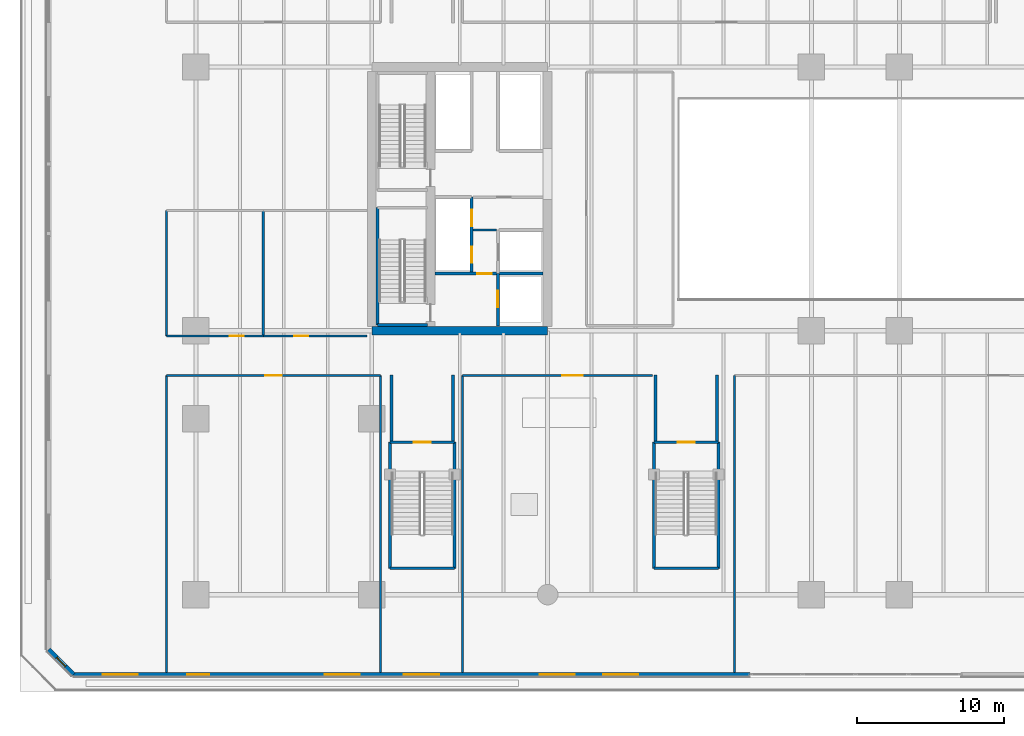
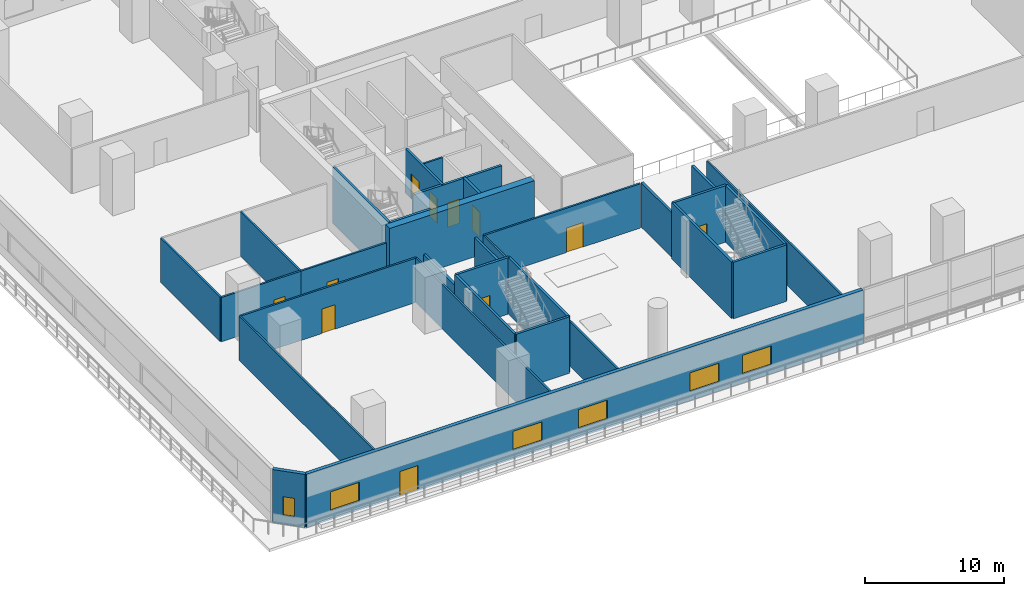
# One storey, part 6 of 24: 31 walls, 11 doors, 6 windows, 17 openings.
"""IFC4 building model written with IfcOpenShell, lengths in metres."""

from ifc_helpers import new_model, si_unit, direction, frame, frame_2d, origin, place, context, subcontext, project, spatial, rectangle, extrude, material, layer, layer_set, type_object, element, fill, save


model = new_model("IFC4")

# Units and contexts
model_context = context("Model", 3, precision=1e-05, world=origin(), true_north=direction((0.0, 1.0)))
body_context = subcontext(model_context, "Body", "Model", "MODEL_VIEW")
ifc_project = project(units=[si_unit("LENGTHUNIT", "METRE"), si_unit("AREAUNIT", "SQUARE_METRE"), si_unit("VOLUMEUNIT", "CUBIC_METRE"), si_unit("PLANEANGLEUNIT", "RADIAN"), si_unit("MASSUNIT", "GRAM", prefix="KILO")], contexts=[model_context])

# Site, building, storey
site_placement = place(None, origin())
site = spatial("IfcSite", under=ifc_project, at=site_placement, CompositionType="ELEMENT")
building_placement = place(site_placement, origin())
building = spatial("IfcBuilding", under=site, at=building_placement, Name="Tanjung Sevakor Pilgrim Tower", CompositionType="ELEMENT")
storey_placement = place(building_placement, frame((0.0, 0.0, 4.949951171875)))
storey = spatial("IfcBuildingStorey", under=building, at=storey_placement, Name="L02", CompositionType="ELEMENT", Elevation=4.949951171875)

# Walls
ifc_material_1 = material(Name="Concrete C60/75", Category="concrete")
ifc_layer_1 = layer(ifc_material_1, 0.60009765625)
ifc_layer_set_1 = layer_set([ifc_layer_1], Name="WALL-CW-600")
wall_type_1 = type_object("IfcWallType", Name="WALL-CW-600", PredefinedType="SHEAR", material=ifc_layer_set_1)
wall_1_placement = place(storey_placement, frame((24.0, 24.60009765625, 0.0), z_axis=(0.0, 0.0, 1.0), x_axis=(1.0, 0.0, 0.0)))
element("IfcWall", 1, at=wall_1_placement, inside=storey, type_object=wall_type_1, Name="L02 W Core South Shear Wall", PredefinedType="SHEAR", context=body_context, shape_type="SweptSolid", body=[
    extrude(rectangle(XDim=12.0, YDim=0.60009765625, at=frame_2d((6.0, 0.0))), origin(), (0.0, 0.0, 1.0), 4.949951171875),
])
ifc_material_2 = material(Name="Concrete C40/50", Category="concrete")
ifc_layer_2 = layer(ifc_material_2, 0.14990234375)
ifc_layer_set_2 = layer_set([ifc_layer_2], Name="WT-COMP-150")
wall_type_2 = type_object("IfcWallType", Name="WT-COMP-150", PredefinedType="SOLIDWALL", material=ifc_layer_set_2)
wall_2_placement = place(storey_placement, frame((30.89990234375, 31.47998046875, 0.0), z_axis=(0.0, 0.0, 1.0), x_axis=(1.0, 0.0, 0.0)))
element("IfcWall", 2, at=wall_2_placement, inside=storey, type_object=wall_type_2, Name="L02 Partition IW-L02-007", PredefinedType="SOLIDWALL", context=body_context, shape_type="SweptSolid", body=[
    extrude(rectangle(XDim=1.60009765625, YDim=0.14990234375, at=frame_2d((0.800048828125, 0.0))), origin(), (0.0, 0.0, 1.0), 3.889892578125),
])

# Wall, opening, door
wall_3_placement = place(storey_placement, frame((30.199951171875, 21.550048828125, 0.0), z_axis=(0.0, 0.0, 1.0), x_axis=(1.0, 0.0, 0.0)))
wall_3 = element("IfcWall", 3, at=wall_3_placement, inside=storey, type_object=wall_type_2, Name="L02 Partition IW-L02-037", PredefinedType="SOLIDWALL", context=body_context, shape_type="SweptSolid", body=[
    extrude(rectangle(XDim=12.949951171875, YDim=0.14990234375, at=frame_2d((6.47509765625, 0.0))), origin(), (0.0, 0.0, 1.0), 3.889892578125),
])
opening_1_placement = place(wall_3_placement, frame((6.800048828125, 0.0, 0.0)))
opening_1 = element("IfcOpeningElement", 4, at=opening_1_placement, cuts=wall_3, Name="Opening ID-HD1", PredefinedType="OPENING", context=body_context, shape_type="SweptSolid", body=[
    extrude(rectangle(XDim=1.39990234375, YDim=2.14990234375, at=frame_2d((0.699951171875, 1.074951171875))), frame((0.0, 0.0849609375, 0.0), z_axis=(0.0, -1.0, 0.0), x_axis=(1.0, 0.0, 0.0)), (0.0, 0.0, 1.0), 0.169921875),
])
ifc_material_3 = material(Name="Hardwood Timber", Category="wood")
door_type_1 = type_object("IfcDoorType", Name="DT-INT-1400", OperationType="DOUBLE_DOOR_SINGLE_SWING", PredefinedType="DOOR", material=ifc_material_3)
door_1_placement = place(opening_1_placement, origin())
door_1 = element("IfcDoor", 5, at=door_1_placement, inside=storey, type_object=door_type_1, Name="L02 Prayer Hall West Door", OperationType="SINGLE_SWING_LEFT", OverallHeight=2.14990234375, OverallWidth=1.39990234375, PredefinedType="DOOR", context=body_context, shape_type="SweptSolid", body=[
    extrude(rectangle(XDim=1.39990234375, YDim=2.14990234375, at=frame_2d((0.699951171875, 1.074951171875))), frame((0.0, 0.02490234375, 0.0), z_axis=(0.0, -1.0, 0.0), x_axis=(1.0, 0.0, 0.0)), (0.0, 0.0, 1.0), 0.050048828125),
])
fill(opening_1, door_1)

# Walls
for number, where, z_axis, x_axis, name in (
    (6, (30.199951171875, 1.300048828125, 0.0), (0.0, 0.0, 1.0), (0.0, 1.0, 0.0), "L02 Partition IW-L02-038"),
    (7, (48.75, 1.300048828125, 0.0), (0.0, 0.0, 1.0), (0.0, 1.0, 0.0), "L02 Partition IW-L02-040"),
):
    element("IfcWall", number, at=place(storey_placement, frame(where, z_axis=z_axis, x_axis=x_axis)), inside=storey, type_object=wall_type_2, Name=name, PredefinedType="SOLIDWALL", context=body_context, shape_type="SweptSolid", body=[
        extrude(rectangle(XDim=20.25, YDim=0.14990234375, at=frame_2d((10.125, 0.0))), origin(), (0.0, 0.0, 1.0), 3.889892578125),
    ])

# Wall, opening, door
wall_4_placement = place(storey_placement, frame((10.0, 24.25, 0.0), z_axis=(0.0, 0.0, 1.0), x_axis=(1.0, 0.0, 0.0)))
wall_4 = element("IfcWall", 8, at=wall_4_placement, inside=storey, type_object=wall_type_2, Name="L02 Partition IW-L02-045", PredefinedType="SOLIDWALL", context=body_context, shape_type="SweptSolid", body=[
    extrude(rectangle(XDim=6.60009765625, YDim=0.14990234375, at=frame_2d((3.300048828125, 0.0))), origin(), (0.0, 0.0, 1.0), 3.889892578125),
])
opening_2_placement = place(wall_4_placement, frame((4.324951171875, 0.0, 0.0)))
opening_2 = element("IfcOpeningElement", 9, at=opening_2_placement, cuts=wall_4, Name="Opening ID-RM1", PredefinedType="OPENING", context=body_context, shape_type="SweptSolid", body=[
    extrude(rectangle(XDim=0.949951171875, YDim=2.14990234375, at=frame_2d((0.47509765625, 1.074951171875))), frame((0.0, 0.0849609375, 0.0), z_axis=(0.0, -1.0, 0.0), x_axis=(1.0, 0.0, 0.0)), (0.0, 0.0, 1.0), 0.169921875),
])
ifc_material_4 = material(Name="Hardwood Timber", Category="wood")
door_type_2 = type_object("IfcDoorType", Name="DT-INT-950", OperationType="NOTDEFINED", PredefinedType="DOOR", material=ifc_material_4)
door_2_placement = place(opening_2_placement, origin())
door_2 = element("IfcDoor", 10, at=door_2_placement, inside=storey, type_object=door_type_2, Name="L02 Male Ablution Door", OperationType="SINGLE_SWING_RIGHT", OverallHeight=2.14990234375, OverallWidth=0.949951171875, PredefinedType="DOOR", context=body_context, shape_type="SweptSolid", body=[
    extrude(rectangle(XDim=0.949951171875, YDim=2.14990234375, at=frame_2d((0.47509765625, 1.074951171875))), frame((0.0, 0.02490234375, 0.0), z_axis=(0.0, -1.0, 0.0), x_axis=(1.0, 0.0, 0.0)), (0.0, 0.0, 1.0), 0.050048828125),
])
fill(opening_2, door_2)

# Walls
for number, where, z_axis, x_axis, name in (
    (11, (10.0, 24.25, 0.0), (0.0, 0.0, 1.0), (0.0, 1.0, 0.0), "L02 Partition IW-L02-047"),
    (12, (16.60009765625, 24.25, 0.0), (0.0, 0.0, 1.0), (0.0, 1.0, 0.0), "L02 Partition IW-L02-048"),
):
    element("IfcWall", number, at=place(storey_placement, frame(where, z_axis=z_axis, x_axis=x_axis)), inside=storey, type_object=wall_type_2, Name=name, PredefinedType="SOLIDWALL", context=body_context, shape_type="SweptSolid", body=[
        extrude(rectangle(XDim=8.550048828125, YDim=0.14990234375, at=frame_2d((4.27490234375, 0.0))), origin(), (0.0, 0.0, 1.0), 3.889892578125),
    ])

# Wall, opening, door
wall_5_placement = place(storey_placement, frame((16.60009765625, 24.25, 0.0), z_axis=(0.0, 0.0, 1.0), x_axis=(1.0, 0.0, 0.0)))
wall_5 = element("IfcWall", 13, at=wall_5_placement, inside=storey, type_object=wall_type_2, Name="L02 Partition IW-L02-049", PredefinedType="SOLIDWALL", context=body_context, shape_type="SweptSolid", body=[
    extrude(rectangle(XDim=7.079833984375, YDim=0.14990234375, at=frame_2d((3.5400390625, 0.0))), origin(), (0.0, 0.0, 1.0), 3.889892578125),
])
opening_3_placement = place(wall_5_placement, frame((2.125, 0.0, 0.0)))
opening_3 = element("IfcOpeningElement", 14, at=opening_3_placement, cuts=wall_5, Name="Opening ID-RM1", PredefinedType="OPENING", context=body_context, shape_type="SweptSolid", body=[
    extrude(rectangle(XDim=0.949951171875, YDim=2.14990234375, at=frame_2d((0.47509765625, 1.074951171875))), frame((0.0, 0.0849609375, 0.0), z_axis=(0.0, -1.0, 0.0), x_axis=(1.0, 0.0, 0.0)), (0.0, 0.0, 1.0), 0.169921875),
])
door_3_placement = place(opening_3_placement, origin())
door_3 = element("IfcDoor", 15, at=door_3_placement, inside=storey, type_object=door_type_2, Name="L02 Male Washroom Door", OperationType="SINGLE_SWING_LEFT", OverallHeight=2.14990234375, OverallWidth=0.949951171875, PredefinedType="DOOR", context=body_context, shape_type="SweptSolid", body=[
    extrude(rectangle(XDim=0.949951171875, YDim=2.14990234375, at=frame_2d((0.47509765625, 1.074951171875))), frame((0.0, 0.02490234375, 0.0), z_axis=(0.0, -1.0, 0.0), x_axis=(1.0, 0.0, 0.0)), (0.0, 0.0, 1.0), 0.050048828125),
])
fill(opening_3, door_3)

wall_6_placement = place(storey_placement, frame((10.0, 21.550048828125, 0.0), z_axis=(0.0, 0.0, 1.0), x_axis=(1.0, 0.0, 0.0)))
wall_6 = element("IfcWall", 16, at=wall_6_placement, inside=storey, type_object=wall_type_2, Name="L02 Partition IW-L02-069", PredefinedType="SOLIDWALL", context=body_context, shape_type="SweptSolid", body=[
    extrude(rectangle(XDim=14.60009765625, YDim=0.14990234375, at=frame_2d((7.300048828125, 0.0))), origin(), (0.0, 0.0, 1.0), 3.889892578125),
])
opening_4_placement = place(wall_6_placement, frame((6.75, 0.0, 0.0)))
opening_4 = element("IfcOpeningElement", 17, at=opening_4_placement, cuts=wall_6, Name="Opening ID-RM2", PredefinedType="OPENING", context=body_context, shape_type="SweptSolid", body=[
    extrude(rectangle(XDim=1.10009765625, YDim=2.14990234375, at=frame_2d((0.550048828125, 1.074951171875))), frame((0.0, 0.0849609375, 0.0), z_axis=(0.0, -1.0, 0.0), x_axis=(1.0, 0.0, 0.0)), (0.0, 0.0, 1.0), 0.169921875),
])
ifc_material_5 = material(Name="Hardwood Timber", Category="wood")
door_type_3 = type_object("IfcDoorType", Name="DT-INT-1100", OperationType="NOTDEFINED", PredefinedType="DOOR", material=ifc_material_5)
door_4_placement = place(opening_4_placement, origin())
door_4 = element("IfcDoor", 18, at=door_4_placement, inside=storey, type_object=door_type_3, Name="L02 West Reading Door", OperationType="SINGLE_SWING_RIGHT", OverallHeight=2.14990234375, OverallWidth=1.10009765625, PredefinedType="DOOR", context=body_context, shape_type="SweptSolid", body=[
    extrude(rectangle(XDim=1.10009765625, YDim=2.14990234375, at=frame_2d((0.550048828125, 1.074951171875))), frame((0.0, 0.02490234375, 0.0), z_axis=(0.0, -1.0, 0.0), x_axis=(1.0, 0.0, 0.0)), (0.0, 0.0, 1.0), 0.050048828125),
])
fill(opening_4, door_4)

# Walls
for number, where, z_axis, x_axis, name in (
    (19, (10.0, 1.300048828125, 0.0), (0.0, 0.0, 1.0), (0.0, 1.0, 0.0), "L02 Partition IW-L02-070"),
    (20, (24.60009765625, 1.300048828125, 0.0), (0.0, 0.0, 1.0), (0.0, 1.0, 0.0), "L02 Partition IW-L02-071"),
):
    element("IfcWall", number, at=place(storey_placement, frame(where, z_axis=z_axis, x_axis=x_axis)), inside=storey, type_object=wall_type_2, Name=name, PredefinedType="SOLIDWALL", context=body_context, shape_type="SweptSolid", body=[
        extrude(rectangle(XDim=20.25, YDim=0.14990234375, at=frame_2d((10.125, 0.0))), origin(), (0.0, 0.0, 1.0), 3.889892578125),
    ])

# Wall, openings, door, windows
ifc_material_6 = material(Name="Precast concrete C45/55", Category="concrete")
ifc_layer_3 = layer(ifc_material_6, 0.300048828125)
ifc_layer_set_3 = layer_set([ifc_layer_3], Name="WT-EW-STN1")
wall_type_3 = type_object("IfcWallType", Name="WT-EW-STN1", PredefinedType="SOLIDWALL", material=ifc_layer_set_3)
wall_7_placement = place(storey_placement, frame((3.662109375, 1.14990234375, 0.0), z_axis=(0.0, 0.0, 1.0), x_axis=(1.0, 0.0, 0.0)))
wall_7 = element("IfcWall", 21, at=wall_7_placement, inside=storey, type_object=wall_type_3, Name="L02 Cascading Podium Limestone Wall S1", PredefinedType="SOLIDWALL", context=body_context, shape_type="SweptSolid", body=[
    extrude(rectangle(XDim=46.137939453125, YDim=0.300048828125, at=frame_2d((23.06884765625, 0.0))), origin(), (0.0, 0.0, 1.0), 4.669921875),
])
opening_5_placement = place(wall_7_placement, frame((7.75, 0.0, 0.0)))
opening_5 = element("IfcOpeningElement", 22, at=opening_5_placement, cuts=wall_7, Name="Opening ED-TER-1500", PredefinedType="OPENING", context=body_context, shape_type="SweptSolid", body=[
    extrude(rectangle(XDim=1.5, YDim=2.199951171875, at=frame_2d((0.75, 1.10009765625))), frame((0.0, 0.159912109375, 0.0), z_axis=(0.0, -1.0, 0.0), x_axis=(1.0, 0.0, 0.0)), (0.0, 0.0, 1.0), 0.320068359375),
])
opening_6_placement = place(wall_7_placement, frame((31.787841796875, 0.0, 0.780029296875)))
opening_6 = element("IfcOpeningElement", 23, at=opening_6_placement, cuts=wall_7, Name="Opening WN-P1-1660", PredefinedType="OPENING", context=body_context, shape_type="SweptSolid", body=[
    extrude(rectangle(XDim=2.39990234375, YDim=1.659912109375, at=frame_2d((1.199951171875, 0.830078125))), frame((0.0, 0.159912109375, 0.0), z_axis=(0.0, -1.0, 0.0), x_axis=(1.0, 0.0, 0.0)), (0.0, 0.0, 1.0), 0.320068359375),
])
opening_7_placement = place(wall_7_placement, frame((1.968994140625, 0.0, 0.780029296875)))
opening_7 = element("IfcOpeningElement", 24, at=opening_7_placement, cuts=wall_7, Name="Opening WN-P1-1660", PredefinedType="OPENING", context=body_context, shape_type="SweptSolid", body=[
    extrude(rectangle(XDim=2.39990234375, YDim=1.659912109375, at=frame_2d((1.199951171875, 0.830078125))), frame((0.0, 0.159912109375, 0.0), z_axis=(0.0, -1.0, 0.0), x_axis=(1.0, 0.0, 0.0)), (0.0, 0.0, 1.0), 0.320068359375),
])
opening_8_placement = place(wall_7_placement, frame((22.537841796875, 0.0, 0.780029296875)))
opening_8 = element("IfcOpeningElement", 25, at=opening_8_placement, cuts=wall_7, Name="Opening WN-P1-1660", PredefinedType="OPENING", context=body_context, shape_type="SweptSolid", body=[
    extrude(rectangle(XDim=2.39990234375, YDim=1.659912109375, at=frame_2d((1.199951171875, 0.830078125))), frame((0.0, 0.159912109375, 0.0), z_axis=(0.0, -1.0, 0.0), x_axis=(1.0, 0.0, 0.0)), (0.0, 0.0, 1.0), 0.320068359375),
])
opening_9_placement = place(wall_7_placement, frame((17.118896484375, 0.0, 0.780029296875)))
opening_9 = element("IfcOpeningElement", 26, at=opening_9_placement, cuts=wall_7, Name="Opening WN-P1-1660", PredefinedType="OPENING", context=body_context, shape_type="SweptSolid", body=[
    extrude(rectangle(XDim=2.39990234375, YDim=1.659912109375, at=frame_2d((1.199951171875, 0.830078125))), frame((0.0, 0.159912109375, 0.0), z_axis=(0.0, -1.0, 0.0), x_axis=(1.0, 0.0, 0.0)), (0.0, 0.0, 1.0), 0.320068359375),
])
opening_10_placement = place(wall_7_placement, frame((36.118896484375, 0.0, 0.780029296875)))
opening_10 = element("IfcOpeningElement", 27, at=opening_10_placement, cuts=wall_7, Name="Opening WN-P1-1660", PredefinedType="OPENING", context=body_context, shape_type="SweptSolid", body=[
    extrude(rectangle(XDim=2.39990234375, YDim=1.659912109375, at=frame_2d((1.199951171875, 0.830078125))), frame((0.0, 0.159912109375, 0.0), z_axis=(0.0, -1.0, 0.0), x_axis=(1.0, 0.0, 0.0)), (0.0, 0.0, 1.0), 0.320068359375),
])
ifc_material_7 = material(Name="Anodised Aluminium and Laminated Glass", Category="aluminium")
door_type_4 = type_object("IfcDoorType", Name="DTYP-ED-TER-1500", OperationType="DOUBLE_DOOR_SINGLE_SWING", PredefinedType="DOOR", material=ifc_material_7)
door_5_placement = place(opening_5_placement, frame((1.5, 0.0, 0.0), z_axis=(0.0, 0.0, 1.0), x_axis=(-1.0, 0.0, 0.0)))
door_5 = element("IfcDoor", 28, at=door_5_placement, inside=storey, type_object=door_type_4, Name="L02 Cascading Garden Terrace Door S", OperationType="SINGLE_SWING_RIGHT", OverallHeight=2.199951171875, OverallWidth=1.5, PredefinedType="DOOR", context=body_context, shape_type="SweptSolid", body=[
    extrude(rectangle(XDim=1.5, YDim=2.199951171875, at=frame_2d((0.75, 1.10009765625))), frame((0.0, 0.02490234375, 0.0), z_axis=(0.0, -1.0, 0.0), x_axis=(1.0, 0.0, 0.0)), (0.0, 0.0, 1.0), 0.050048828125),
])
fill(opening_5, door_5)
ifc_material_8 = material(Name="Thermally Broken Aluminium and Low-E Glass", Category="aluminium")
window_type_1 = type_object("IfcWindowType", Name="WTYP-WN-P1-1660", PartitioningType="DOUBLE_PANEL_VERTICAL", PredefinedType="WINDOW", material=ifc_material_8)
window_1_placement = place(opening_6_placement, origin())
window_1 = element("IfcWindow", 29, at=window_1_placement, inside=storey, type_object=window_type_1, Name="L02 Facade Window 01", OverallHeight=1.659912109375, OverallWidth=2.39990234375, PartitioningType="SINGLE_PANEL", PredefinedType="WINDOW", context=body_context, shape_type="SweptSolid", body=[
    extrude(rectangle(XDim=2.39990234375, YDim=1.659912109375, at=frame_2d((1.199951171875, 0.830078125))), frame((0.0, 0.030029296875, 0.0), z_axis=(0.0, -1.0, 0.0), x_axis=(1.0, 0.0, 0.0)), (0.0, 0.0, 1.0), 0.06005859375),
])
fill(opening_6, window_1)
window_2_placement = place(opening_7_placement, origin())
window_2 = element("IfcWindow", 30, at=window_2_placement, inside=storey, type_object=window_type_1, Name="L02 Facade Window 02", OverallHeight=1.659912109375, OverallWidth=2.39990234375, PartitioningType="SINGLE_PANEL", PredefinedType="WINDOW", context=body_context, shape_type="SweptSolid", body=[
    extrude(rectangle(XDim=2.39990234375, YDim=1.659912109375, at=frame_2d((1.199951171875, 0.830078125))), frame((0.0, 0.030029296875, 0.0), z_axis=(0.0, -1.0, 0.0), x_axis=(1.0, 0.0, 0.0)), (0.0, 0.0, 1.0), 0.06005859375),
])
fill(opening_7, window_2)
window_3_placement = place(opening_8_placement, origin())
window_3 = element("IfcWindow", 31, at=window_3_placement, inside=storey, type_object=window_type_1, Name="L02 Facade Window 03", OverallHeight=1.659912109375, OverallWidth=2.39990234375, PartitioningType="SINGLE_PANEL", PredefinedType="WINDOW", context=body_context, shape_type="SweptSolid", body=[
    extrude(rectangle(XDim=2.39990234375, YDim=1.659912109375, at=frame_2d((1.199951171875, 0.830078125))), frame((0.0, 0.030029296875, 0.0), z_axis=(0.0, -1.0, 0.0), x_axis=(1.0, 0.0, 0.0)), (0.0, 0.0, 1.0), 0.06005859375),
])
fill(opening_8, window_3)
window_4_placement = place(opening_9_placement, origin())
window_4 = element("IfcWindow", 32, at=window_4_placement, inside=storey, type_object=window_type_1, Name="L02 Facade Window 04", OverallHeight=1.659912109375, OverallWidth=2.39990234375, PartitioningType="SINGLE_PANEL", PredefinedType="WINDOW", context=body_context, shape_type="SweptSolid", body=[
    extrude(rectangle(XDim=2.39990234375, YDim=1.659912109375, at=frame_2d((1.199951171875, 0.830078125))), frame((0.0, 0.030029296875, 0.0), z_axis=(0.0, -1.0, 0.0), x_axis=(1.0, 0.0, 0.0)), (0.0, 0.0, 1.0), 0.06005859375),
])
fill(opening_9, window_4)
window_5_placement = place(opening_10_placement, origin())
window_5 = element("IfcWindow", 33, at=window_5_placement, inside=storey, type_object=window_type_1, Name="L02 Facade Window 05", OverallHeight=1.659912109375, OverallWidth=2.39990234375, PartitioningType="SINGLE_PANEL", PredefinedType="WINDOW", context=body_context, shape_type="SweptSolid", body=[
    extrude(rectangle(XDim=2.39990234375, YDim=1.659912109375, at=frame_2d((1.199951171875, 0.830078125))), frame((0.0, 0.030029296875, 0.0), z_axis=(0.0, -1.0, 0.0), x_axis=(1.0, 0.0, 0.0)), (0.0, 0.0, 1.0), 0.06005859375),
])
fill(opening_10, window_5)

# Wall, opening, window
wall_8_placement = place(storey_placement, frame((1.949951171875, 2.862060546875, 0.0), z_axis=(0.0, 0.0, 1.0), x_axis=(0.707106781187, -0.707106781187, 0.0)))
wall_8 = element("IfcWall", 34, at=wall_8_placement, inside=storey, type_object=wall_type_3, Name="L02 MAIN Exterior Wall 8", PredefinedType="SOLIDWALL", context=body_context, shape_type="SweptSolid", body=[
    extrude(rectangle(XDim=2.42138671875, YDim=0.300048828125, at=frame_2d((1.210693359375, 0.0))), origin(), (0.0, 0.0, 1.0), 4.669921875),
])
opening_11_placement = place(wall_8_placement, frame((0.78564453125, 0.0, 0.780029296875)))
opening_11 = element("IfcOpeningElement", 35, at=opening_11_placement, cuts=wall_8, Name="Opening WN-SLM", PredefinedType="OPENING", context=body_context, shape_type="SweptSolid", body=[
    extrude(rectangle(XDim=0.85009765625, YDim=1.64990234375, at=frame_2d((0.425048828125, 0.824951171875))), frame((0.0, 0.159912109375, 0.0), z_axis=(0.0, -1.0, 0.0), x_axis=(1.0, 0.0, 0.0)), (0.0, 0.0, 1.0), 0.320068359375),
])
ifc_material_9 = material(Name="Thermally Broken Aluminium and Low-E Glass", Category="aluminium")
window_type_2 = type_object("IfcWindowType", Name="WTYP-WN-SLM", PartitioningType="SINGLE_PANEL", PredefinedType="WINDOW", material=ifc_material_9)
window_6_placement = place(opening_11_placement, origin())
window_6 = element("IfcWindow", 36, at=window_6_placement, inside=storey, type_object=window_type_2, Name="L02 Facade Window 01", OverallHeight=1.64990234375, OverallWidth=0.85009765625, PartitioningType="SINGLE_PANEL", PredefinedType="WINDOW", context=body_context, shape_type="SweptSolid", body=[
    extrude(rectangle(XDim=0.85009765625, YDim=1.64990234375, at=frame_2d((0.425048828125, 0.824951171875))), frame((0.0, 0.030029296875, 0.0), z_axis=(0.0, -1.0, 0.0), x_axis=(1.0, 0.0, 0.0)), (0.0, 0.0, 1.0), 0.06005859375),
])
fill(opening_11, window_6)

# Walls
ifc_material_10 = material(Name="Concrete C40/50", Category="concrete")
ifc_layer_4 = layer(ifc_material_10, 0.199951171875)
ifc_layer_set_4 = layer_set([ifc_layer_4], Name="WT-FIRE-200")
wall_type_4 = type_object("IfcWallType", Name="WT-FIRE-200", PredefinedType="SOLIDWALL", material=ifc_layer_set_4)
wall_9_placement = place(storey_placement, frame((24.39990234375, 25.0, 0.0), z_axis=(0.0, 0.0, 1.0), x_axis=(1.0, 0.0, 0.0)))
element("IfcWall", 37, at=wall_9_placement, inside=storey, type_object=wall_type_4, Name="L02 TS-W1 Shaft Wall 1", PredefinedType="SOLIDWALL", context=body_context, shape_type="SweptSolid", body=[
    extrude(rectangle(XDim=3.400146484375, YDim=0.199951171875, at=frame_2d((1.7001953125, 0.0))), origin(), (0.0, 0.0, 1.0), 4.949951171875),
])
wall_10_placement = place(storey_placement, frame((24.39990234375, 33.0, 0.0), z_axis=(0.0, 0.0, 1.0), x_axis=(0.0, -1.0, 0.0)))
element("IfcWall", 38, at=wall_10_placement, inside=storey, type_object=wall_type_4, Name="L02 TS-W1 Shaft Wall 3", PredefinedType="SOLIDWALL", context=body_context, shape_type="SweptSolid", body=[
    extrude(rectangle(XDim=8.0, YDim=0.199951171875, at=frame_2d((4.0, 0.0))), origin(), (0.0, 0.0, 1.0), 4.949951171875),
])
wall_11_placement = place(storey_placement, frame((25.25, 8.39990234375, 0.0), z_axis=(0.0, 0.0, 1.0), x_axis=(1.0, 0.0, 0.0)))
element("IfcWall", 39, at=wall_11_placement, inside=storey, type_object=wall_type_4, Name="L02 PS-1 Shaft Wall 1", PredefinedType="SOLIDWALL", context=body_context, shape_type="SweptSolid", body=[
    extrude(rectangle(XDim=4.39990234375, YDim=0.199951171875, at=frame_2d((2.199951171875, 0.0))), origin(), (0.0, 0.0, 1.0), 4.949951171875),
])
wall_12_placement = place(storey_placement, frame((29.64990234375, 8.39990234375, 0.0), z_axis=(0.0, 0.0, 1.0), x_axis=(0.0, 1.0, 0.0)))
element("IfcWall", 40, at=wall_12_placement, inside=storey, type_object=wall_type_4, Name="L02 PS-1 Shaft Wall 2", PredefinedType="SOLIDWALL", context=body_context, shape_type="SweptSolid", body=[
    extrude(rectangle(XDim=8.60009765625, YDim=0.199951171875, at=frame_2d((4.300048828125, 0.0))), origin(), (0.0, 0.0, 1.0), 4.949951171875),
])

# Wall, opening, door
wall_13_placement = place(storey_placement, frame((29.64990234375, 17.0, 0.0), z_axis=(0.0, 0.0, 1.0), x_axis=(-1.0, 0.0, 0.0)))
wall_13 = element("IfcWall", 41, at=wall_13_placement, inside=storey, type_object=wall_type_4, Name="L02 PS-1 Shaft Wall 3", PredefinedType="SOLIDWALL", context=body_context, shape_type="SweptSolid", body=[
    extrude(rectangle(XDim=4.39990234375, YDim=0.199951171875, at=frame_2d((2.199951171875, 0.0))), origin(), (0.0, 0.0, 1.0), 4.949951171875),
])
opening_12_placement = place(wall_13_placement, frame((1.625, 0.0, 0.0)))
opening_12 = element("IfcOpeningElement", 42, at=opening_12_placement, cuts=wall_13, Name="Opening ID-ST1", PredefinedType="OPENING", context=body_context, shape_type="SweptSolid", body=[
    extrude(rectangle(XDim=1.14990234375, YDim=2.14990234375, at=frame_2d((0.574951171875, 1.074951171875))), frame((0.0, 0.10986328125, 0.0), z_axis=(0.0, -1.0, 0.0), x_axis=(1.0, 0.0, 0.0)), (0.0, 0.0, 1.0), 0.219970703125),
])
ifc_material_11 = material(Name="Fire-Rated Steel S355J2", Category="steel")
door_type_5 = type_object("IfcDoorType", Name="DT-FIRE-1150", OperationType="NOTDEFINED", PredefinedType="DOOR", material=ifc_material_11)
door_6_placement = place(opening_12_placement, origin())
door_6 = element("IfcDoor", 43, at=door_6_placement, inside=storey, type_object=door_type_5, Name="L02 PS-1 Stair Entry Fire Door", OperationType="SINGLE_SWING_RIGHT", OverallHeight=2.14990234375, OverallWidth=1.14990234375, PredefinedType="DOOR", context=body_context, shape_type="SweptSolid", body=[
    extrude(rectangle(XDim=1.14990234375, YDim=2.14990234375, at=frame_2d((0.574951171875, 1.074951171875))), frame((0.0, 0.02490234375, 0.0), z_axis=(0.0, -1.0, 0.0), x_axis=(1.0, 0.0, 0.0)), (0.0, 0.0, 1.0), 0.050048828125),
])
fill(opening_12, door_6)

# Walls
wall_14_placement = place(storey_placement, frame((25.25, 17.0, 0.0), z_axis=(0.0, 0.0, 1.0), x_axis=(0.0, -1.0, 0.0)))
element("IfcWall", 44, at=wall_14_placement, inside=storey, type_object=wall_type_4, Name="L02 PS-1 Shaft Wall 4", PredefinedType="SOLIDWALL", context=body_context, shape_type="SweptSolid", body=[
    extrude(rectangle(XDim=8.60009765625, YDim=0.199951171875, at=frame_2d((4.300048828125, 0.0))), origin(), (0.0, 0.0, 1.0), 4.949951171875),
])
wall_15_placement = place(storey_placement, frame((43.25, 8.39990234375, 0.0), z_axis=(0.0, 0.0, 1.0), x_axis=(1.0, 0.0, 0.0)))
element("IfcWall", 45, at=wall_15_placement, inside=storey, type_object=wall_type_4, Name="L02 PS-3 Shaft Wall 1", PredefinedType="SOLIDWALL", context=body_context, shape_type="SweptSolid", body=[
    extrude(rectangle(XDim=4.39990234375, YDim=0.199951171875, at=frame_2d((2.199951171875, 0.0))), origin(), (0.0, 0.0, 1.0), 4.949951171875),
])
wall_16_placement = place(storey_placement, frame((47.64990234375, 8.39990234375, 0.0), z_axis=(0.0, 0.0, 1.0), x_axis=(0.0, 1.0, 0.0)))
element("IfcWall", 46, at=wall_16_placement, inside=storey, type_object=wall_type_4, Name="L02 PS-3 Shaft Wall 2", PredefinedType="SOLIDWALL", context=body_context, shape_type="SweptSolid", body=[
    extrude(rectangle(XDim=8.60009765625, YDim=0.199951171875, at=frame_2d((4.300048828125, 0.0))), origin(), (0.0, 0.0, 1.0), 4.949951171875),
])

# Wall, opening, door
wall_17_placement = place(storey_placement, frame((47.64990234375, 17.0, 0.0), z_axis=(0.0, 0.0, 1.0), x_axis=(-1.0, 0.0, 0.0)))
wall_17 = element("IfcWall", 47, at=wall_17_placement, inside=storey, type_object=wall_type_4, Name="L02 PS-3 Shaft Wall 3", PredefinedType="SOLIDWALL", context=body_context, shape_type="SweptSolid", body=[
    extrude(rectangle(XDim=4.39990234375, YDim=0.199951171875, at=frame_2d((2.199951171875, 0.0))), origin(), (0.0, 0.0, 1.0), 4.949951171875),
])
opening_13_placement = place(wall_17_placement, frame((1.625, 0.0, 0.0)))
opening_13 = element("IfcOpeningElement", 48, at=opening_13_placement, cuts=wall_17, Name="Opening ID-ST1", PredefinedType="OPENING", context=body_context, shape_type="SweptSolid", body=[
    extrude(rectangle(XDim=1.14990234375, YDim=2.14990234375, at=frame_2d((0.574951171875, 1.074951171875))), frame((0.0, 0.10986328125, 0.0), z_axis=(0.0, -1.0, 0.0), x_axis=(1.0, 0.0, 0.0)), (0.0, 0.0, 1.0), 0.219970703125),
])
door_7_placement = place(opening_13_placement, origin())
door_7 = element("IfcDoor", 49, at=door_7_placement, inside=storey, type_object=door_type_5, Name="L02 PS-3 Stair Entry Fire Door", OperationType="SINGLE_SWING_RIGHT", OverallHeight=2.14990234375, OverallWidth=1.14990234375, PredefinedType="DOOR", context=body_context, shape_type="SweptSolid", body=[
    extrude(rectangle(XDim=1.14990234375, YDim=2.14990234375, at=frame_2d((0.574951171875, 1.074951171875))), frame((0.0, 0.02490234375, 0.0), z_axis=(0.0, -1.0, 0.0), x_axis=(1.0, 0.0, 0.0)), (0.0, 0.0, 1.0), 0.050048828125),
])
fill(opening_13, door_7)

# Wall
wall_18_placement = place(storey_placement, frame((43.25, 17.0, 0.0), z_axis=(0.0, 0.0, 1.0), x_axis=(0.0, -1.0, 0.0)))
element("IfcWall", 50, at=wall_18_placement, inside=storey, type_object=wall_type_4, Name="L02 PS-3 Shaft Wall 4", PredefinedType="SOLIDWALL", context=body_context, shape_type="SweptSolid", body=[
    extrude(rectangle(XDim=8.60009765625, YDim=0.199951171875, at=frame_2d((4.300048828125, 0.0))), origin(), (0.0, 0.0, 1.0), 4.949951171875),
])

# Wall, opening, door
ifc_material_12 = material(Name="Concrete C40/50", Category="concrete")
ifc_layer_5 = layer(ifc_material_12, 0.199951171875)
ifc_layer_set_5 = layer_set([ifc_layer_5], Name="WT-FPRT-200")
wall_type_5 = type_object("IfcWallType", Name="WT-FPRT-200", PredefinedType="SOLIDWALL", material=ifc_layer_set_5)
wall_19_placement = place(storey_placement, frame((32.60009765625, 24.919921875, 0.0), z_axis=(0.0, 0.0, 1.0), x_axis=(0.0, 1.0, 0.0)))
wall_19 = element("IfcWall", 51, at=wall_19_placement, inside=storey, type_object=wall_type_5, Name="L02 Partition IW-L02-001", PredefinedType="SOLIDWALL", context=body_context, shape_type="SweptSolid", body=[
    extrude(rectangle(XDim=3.580078125, YDim=0.199951171875, at=frame_2d((1.7900390625, 0.0))), origin(), (0.0, 0.0, 1.0), 3.889892578125),
])
opening_14_placement = place(wall_19_placement, frame((1.300048828125, 0.0, 0.0)))
opening_14 = element("IfcOpeningElement", 52, at=opening_14_placement, cuts=wall_19, Name="Opening LD-1100", PredefinedType="OPENING", context=body_context, shape_type="SweptSolid", body=[
    extrude(rectangle(XDim=1.10009765625, YDim=2.199951171875, at=frame_2d((0.550048828125, 1.10009765625))), frame((0.0, 0.10986328125, 0.0), z_axis=(0.0, -1.0, 0.0), x_axis=(1.0, 0.0, 0.0)), (0.0, 0.0, 1.0), 0.219970703125),
])
ifc_material_13 = material(Name="Brushed Stainless Steel S355J2", Category="steel")
door_type_6 = type_object("IfcDoorType", Name="DT-LIFT-1100", OperationType="SLIDING_TO_LEFT", PredefinedType="DOOR", material=ifc_material_13)
door_8_placement = place(opening_14_placement, origin())
door_8 = element("IfcDoor", 53, at=door_8_placement, inside=storey, type_object=door_type_6, Name="LD-FL-W", OperationType="SLIDING_TO_LEFT", OverallHeight=2.199951171875, OverallWidth=1.10009765625, PredefinedType="DOOR", context=body_context, shape_type="SweptSolid", body=[
    extrude(rectangle(XDim=1.10009765625, YDim=2.199951171875, at=frame_2d((0.550048828125, 1.10009765625))), frame((0.0, 0.02490234375, 0.0), z_axis=(0.0, -1.0, 0.0), x_axis=(1.0, 0.0, 0.0)), (0.0, 0.0, 1.0), 0.050048828125),
])
fill(opening_14, door_8)

wall_20_placement = place(storey_placement, frame((28.320068359375, 28.5, 0.0), z_axis=(0.0, 0.0, 1.0), x_axis=(1.0, 0.0, 0.0)))
wall_20 = element("IfcWall", 54, at=wall_20_placement, inside=storey, type_object=wall_type_5, Name="L02 Partition IW-L02-002", PredefinedType="SOLIDWALL", context=body_context, shape_type="SweptSolid", body=[
    extrude(rectangle(XDim=7.35986328125, YDim=0.199951171875, at=frame_2d((3.679931640625, 0.0))), origin(), (0.0, 0.0, 1.0), 3.889892578125),
])
opening_15_placement = place(wall_20_placement, frame((2.8798828125, 0.0, 0.0)))
opening_15 = element("IfcOpeningElement", 55, at=opening_15_placement, cuts=wall_20, Name="Opening ID-FD1", PredefinedType="OPENING", context=body_context, shape_type="SweptSolid", body=[
    extrude(rectangle(XDim=1.0, YDim=2.14990234375, at=frame_2d((0.5, 1.074951171875))), frame((0.0, 0.10986328125, 0.0), z_axis=(0.0, -1.0, 0.0), x_axis=(1.0, 0.0, 0.0)), (0.0, 0.0, 1.0), 0.219970703125),
])
ifc_material_14 = material(Name="Fire-Rated Steel S355J2", Category="steel")
door_type_7 = type_object("IfcDoorType", Name="DT-FIRE-1000", OperationType="NOTDEFINED", PredefinedType="DOOR", material=ifc_material_14)
door_9_placement = place(opening_15_placement, origin())
door_9 = element("IfcDoor", 56, at=door_9_placement, inside=storey, type_object=door_type_7, Name="Fire Lobby Door W", OperationType="SINGLE_SWING_RIGHT", OverallHeight=2.14990234375, OverallWidth=1.0, PredefinedType="DOOR", context=body_context, shape_type="SweptSolid", body=[
    extrude(rectangle(XDim=1.0, YDim=2.14990234375, at=frame_2d((0.5, 1.074951171875))), frame((0.0, 0.02490234375, 0.0), z_axis=(0.0, -1.0, 0.0), x_axis=(1.0, 0.0, 0.0)), (0.0, 0.0, 1.0), 0.050048828125),
])
fill(opening_15, door_9)

# Wall, openings, doors
wall_21_placement = place(storey_placement, frame((30.820068359375, 28.5, 0.0), z_axis=(0.0, 0.0, 1.0), x_axis=(0.0, 1.0, 0.0)))
wall_21 = element("IfcWall", 57, at=wall_21_placement, inside=storey, type_object=wall_type_5, Name="L02 Partition IW-L02-004", PredefinedType="SOLIDWALL", context=body_context, shape_type="SweptSolid", body=[
    extrude(rectangle(XDim=5.219970703125, YDim=0.199951171875, at=frame_2d((2.60986328125, 0.0))), origin(), (0.0, 0.0, 1.0), 3.889892578125),
])
opening_16_placement = place(wall_21_placement, frame((0.75, 0.0, 0.0)))
opening_16 = element("IfcOpeningElement", 58, at=opening_16_placement, cuts=wall_21, Name="Opening LD-1100", PredefinedType="OPENING", context=body_context, shape_type="SweptSolid", body=[
    extrude(rectangle(XDim=1.10009765625, YDim=2.199951171875, at=frame_2d((0.550048828125, 1.10009765625))), frame((0.0, 0.10986328125, 0.0), z_axis=(0.0, -1.0, 0.0), x_axis=(1.0, 0.0, 0.0)), (0.0, 0.0, 1.0), 0.219970703125),
])
opening_17_placement = place(wall_21_placement, frame((3.25, 0.0, 0.0)))
opening_17 = element("IfcOpeningElement", 59, at=opening_17_placement, cuts=wall_21, Name="Opening LD-1100", PredefinedType="OPENING", context=body_context, shape_type="SweptSolid", body=[
    extrude(rectangle(XDim=1.10009765625, YDim=2.199951171875, at=frame_2d((0.550048828125, 1.10009765625))), frame((0.0, 0.10986328125, 0.0), z_axis=(0.0, -1.0, 0.0), x_axis=(1.0, 0.0, 0.0)), (0.0, 0.0, 1.0), 0.219970703125),
])
door_10_placement = place(opening_16_placement, origin())
door_10 = element("IfcDoor", 60, at=door_10_placement, inside=storey, type_object=door_type_6, Name="LD-PLL1-W", OperationType="SLIDING_TO_LEFT", OverallHeight=2.199951171875, OverallWidth=1.10009765625, PredefinedType="DOOR", context=body_context, shape_type="SweptSolid", body=[
    extrude(rectangle(XDim=1.10009765625, YDim=2.199951171875, at=frame_2d((0.550048828125, 1.10009765625))), frame((0.0, 0.02490234375, 0.0), z_axis=(0.0, -1.0, 0.0), x_axis=(1.0, 0.0, 0.0)), (0.0, 0.0, 1.0), 0.050048828125),
])
fill(opening_16, door_10)
door_11_placement = place(opening_17_placement, origin())
door_11 = element("IfcDoor", 61, at=door_11_placement, inside=storey, type_object=door_type_6, Name="LD-PLL2-W", OperationType="SLIDING_TO_RIGHT", OverallHeight=2.199951171875, OverallWidth=1.10009765625, PredefinedType="DOOR", context=body_context, shape_type="SweptSolid", body=[
    extrude(rectangle(XDim=1.10009765625, YDim=2.199951171875, at=frame_2d((0.550048828125, 1.10009765625))), frame((0.0, 0.02490234375, 0.0), z_axis=(0.0, -1.0, 0.0), x_axis=(1.0, 0.0, 0.0)), (0.0, 0.0, 1.0), 0.050048828125),
])
fill(opening_17, door_11)

# Walls
for number, where, z_axis, x_axis, name in (
    (62, (25.35009765625, 17.0, 0.0), (0.0, 0.0, 1.0), (0.0, 1.0, 0.0), "L02 Partition IW-L02-025"),
    (63, (29.550048828125, 17.0, 0.0), (0.0, 0.0, 1.0), (0.0, 1.0, 0.0), "L02 Partition IW-L02-026"),
    (64, (43.35009765625, 17.0, 0.0), (0.0, 0.0, 1.0), (0.0, 1.0, 0.0), "L02 Partition IW-L02-027"),
    (65, (47.550048828125, 17.0, 0.0), (0.0, 0.0, 1.0), (0.0, 1.0, 0.0), "L02 Partition IW-L02-028"),
):
    element("IfcWall", number, at=place(storey_placement, frame(where, z_axis=z_axis, x_axis=x_axis)), inside=storey, type_object=wall_type_5, Name=name, PredefinedType="SOLIDWALL", context=body_context, shape_type="SweptSolid", body=[
        extrude(rectangle(XDim=4.60009765625, YDim=0.199951171875, at=frame_2d((2.300048828125, 0.0))), origin(), (0.0, 0.0, 1.0), 3.889892578125),
    ])

save(model, "model.ifc")
